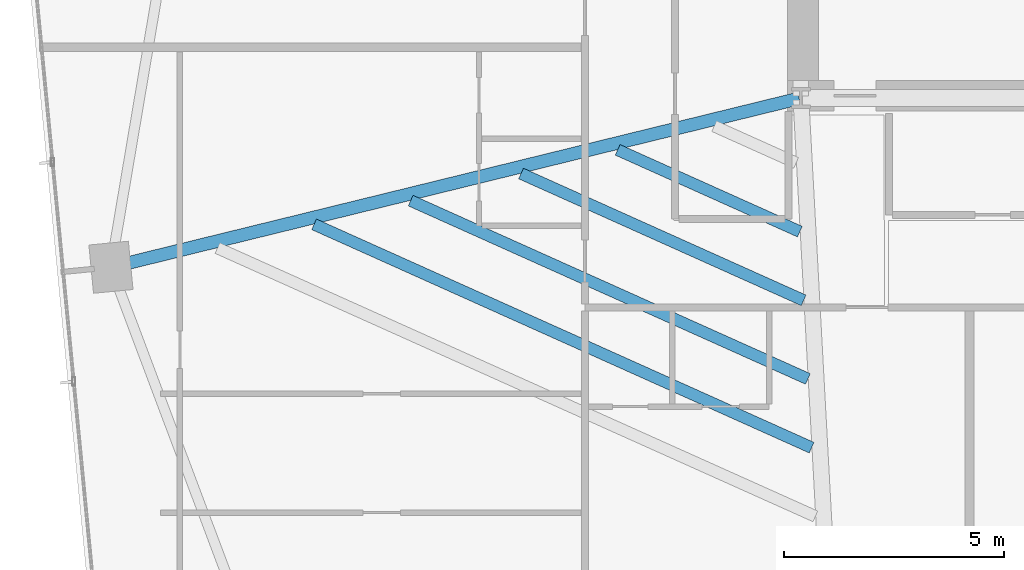
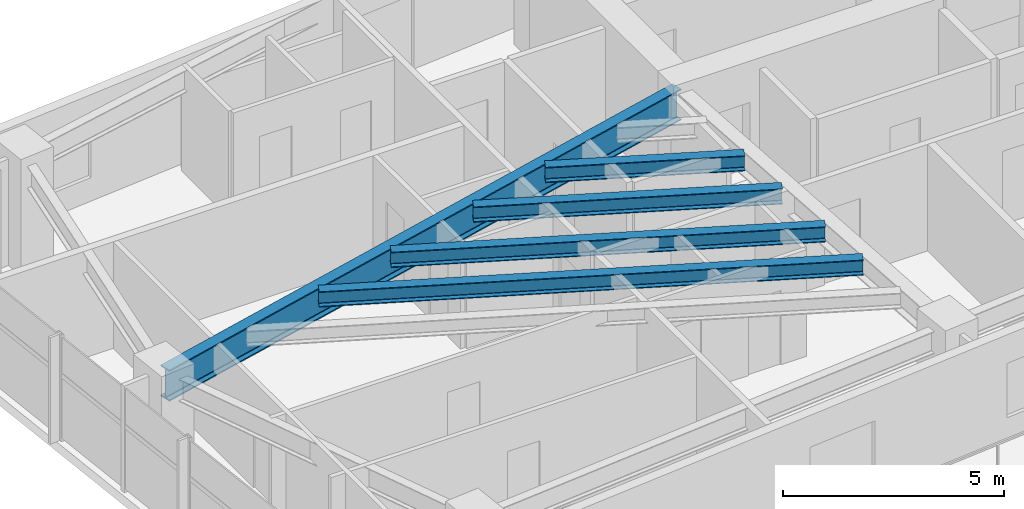
# One storey, part 5 of 27: 5 beams.
"""IFC4 building model written with IfcOpenShell, lengths in metres."""

from ifc_helpers import new_model, si_unit, direction, frame, origin, origin_2d, place, context, subcontext, project, spatial, i_section, extrude, source, transform, mapped, material, material_profile, profile_set, type_object, type_shapes, element, save


model = new_model("IFC4")

# Units and contexts
model_context = context("Model", 3, precision=1e-05, world=origin(), true_north=direction((0.0, 1.0)))
body_context = subcontext(model_context, "Body", "Model", "MODEL_VIEW")
ifc_project = project(units=[si_unit("LENGTHUNIT", "METRE"), si_unit("AREAUNIT", "SQUARE_METRE"), si_unit("VOLUMEUNIT", "CUBIC_METRE"), si_unit("PLANEANGLEUNIT", "RADIAN"), si_unit("MASSUNIT", "GRAM", prefix="KILO")], contexts=[model_context])

# Site, building, storey
site_placement = place(None, origin())
site = spatial("IfcSite", under=ifc_project, at=site_placement, CompositionType="ELEMENT")
building_placement = place(site_placement, origin())
building = spatial("IfcBuilding", under=site, at=building_placement, Name="Astriad Promenade Condominiums", CompositionType="ELEMENT")
storey_placement = place(building_placement, frame((0.0, 0.0, 113.0)))
storey = spatial("IfcBuildingStorey", under=building, at=storey_placement, Name="L32", CompositionType="ELEMENT", Elevation=113.0)

# Beams
ifc_material = material(Name="Steel ASTM A992 Grade 50", Category="steel")
ifc_material_profile_1 = material_profile(ifc_material, i_section(OverallWidth=0.2919921875, OverallDepth=0.85888671875, WebThickness=0.01708984375, FlangeThickness=0.031005859375, FilletRadius=0.02294921875, at=origin_2d()), Name="W33X169")
ifc_profile_set_1 = profile_set([ifc_material_profile_1], Name="Steel ASTM A992 Grade 50")
beam_type_1 = type_object("IfcBeamType", Name="STEEL PRIMARY GIRDER W33X169", PredefinedType="BEAM", material=ifc_profile_set_1)
shared_shape_1 = source(origin(), body_context, "Body", "SweptSolid", [
    extrude(i_section(OverallWidth=0.2919921875, OverallDepth=0.85888671875, WebThickness=0.01708984375, FlangeThickness=0.031005859375, FilletRadius=0.02294921875, at=origin_2d()), origin(), (0.0, 0.0, 1.0), 16.032470703125),
])
type_shapes(beam_type_1, [shared_shape_1])
beam_1_placement = place(storey_placement, frame((10.790283203125, 13.5703125, 2.510498046875), z_axis=(0.971199076901, 0.238269496633, 0.0), x_axis=(-0.238269496633, 0.971199076901, 0.0)))
element("IfcBeam", 1, at=beam_1_placement, inside=storey, type_object=beam_type_1, Name="Primary Floor Girder PG-WM-L32", PredefinedType="BEAM", context=body_context, shape_type="MappedRepresentation", body=[
    mapped(shared_shape_1, transform((0.0, 0.0, 0.0), scale=1.0)),
])
ifc_material_profile_2 = material_profile(ifc_material, i_section(OverallWidth=0.26318359375, OverallDepth=0.425537109375, WebThickness=0.01318359375, FlangeThickness=0.022216796875, FilletRadius=0.013916015625, at=origin_2d()), Name="W16X89")
ifc_profile_set_2 = profile_set([ifc_material_profile_2], Name="Steel ASTM A992 Grade 50")
beam_type_2 = type_object("IfcBeamType", Name="STEEL FLOOR JOIST W16X89", PredefinedType="JOIST", material=ifc_profile_set_2)
shared_shape_2 = source(origin(), body_context, "Body", "SweptSolid", [
    extrude(i_section(OverallWidth=0.26318359375, OverallDepth=0.425537109375, WebThickness=0.01318359375, FlangeThickness=0.022216796875, FilletRadius=0.013916015625, at=origin_2d()), origin(), (0.0, 0.0, 1.0), 12.369140625),
])
beam_2_placement = place(storey_placement, frame((15.35888671875, 14.534423828125, 2.727294921875), z_axis=(0.91230851279, -0.409503574454, 0.0), x_axis=(0.409503574454, 0.91230851279, 0.0)))
element("IfcBeam", 2, at=beam_2_placement, inside=storey, type_object=beam_type_2, Name="Secondary Composite Floor Joist JW1-2-L32", PredefinedType="JOIST", context=body_context, shape_type="MappedRepresentation", body=[
    mapped(shared_shape_2, transform((0.0, 0.0, 0.0), scale=1.0)),
])
shared_shape_3 = source(origin(), body_context, "Body", "SweptSolid", [
    extrude(i_section(OverallWidth=0.26318359375, OverallDepth=0.425537109375, WebThickness=0.01318359375, FlangeThickness=0.022216796875, FilletRadius=0.013916015625, at=origin_2d()), origin(), (0.0, 0.0, 1.0), 9.875),
])
beam_3_placement = place(storey_placement, frame((17.549560546875, 15.072021484375, 2.727294921875), z_axis=(0.912313833055, -0.409491721549, 0.0), x_axis=(0.409491721549, 0.912313833055, 0.0)))
element("IfcBeam", 3, at=beam_3_placement, inside=storey, type_object=beam_type_2, Name="Secondary Composite Floor Joist JW1-3-L32", PredefinedType="JOIST", context=body_context, shape_type="MappedRepresentation", body=[
    mapped(shared_shape_3, transform((0.0, 0.0, 0.0), scale=1.0)),
])
shared_shape_4 = source(origin(), body_context, "Body", "SweptSolid", [
    extrude(i_section(OverallWidth=0.26318359375, OverallDepth=0.425537109375, WebThickness=0.01318359375, FlangeThickness=0.022216796875, FilletRadius=0.013916015625, at=origin_2d()), origin(), (0.0, 0.0, 1.0), 7.024169921875),
])
beam_4_placement = place(storey_placement, frame((20.053466796875, 15.686279296875, 2.727294921875), z_axis=(0.912306106293, -0.409508935703, 0.0), x_axis=(0.409508935703, 0.912306106293, 0.0)))
element("IfcBeam", 4, at=beam_4_placement, inside=storey, type_object=beam_type_2, Name="Secondary Composite Floor Joist JW1-4-L32", PredefinedType="JOIST", context=body_context, shape_type="MappedRepresentation", body=[
    mapped(shared_shape_4, transform((0.0, 0.0, 0.0), scale=1.0)),
])
shared_shape_5 = source(origin(), body_context, "Body", "SweptSolid", [
    extrude(i_section(OverallWidth=0.26318359375, OverallDepth=0.425537109375, WebThickness=0.01318359375, FlangeThickness=0.022216796875, FilletRadius=0.013916015625, at=origin_2d()), origin(), (0.0, 0.0, 1.0), 4.52978515625),
])
type_shapes(beam_type_2, [shared_shape_2, shared_shape_3, shared_shape_4, shared_shape_5])
beam_5_placement = place(storey_placement, frame((22.244140625, 16.2236328125, 2.727294921875), z_axis=(0.912307341368, -0.409506184186, 0.0), x_axis=(0.409506184186, 0.912307341368, 0.0)))
element("IfcBeam", 5, at=beam_5_placement, inside=storey, type_object=beam_type_2, Name="Secondary Composite Floor Joist JW1-5-L32", PredefinedType="JOIST", context=body_context, shape_type="MappedRepresentation", body=[
    mapped(shared_shape_5, transform((0.0, 0.0, 0.0), scale=1.0)),
])

save(model, "model.ifc")
